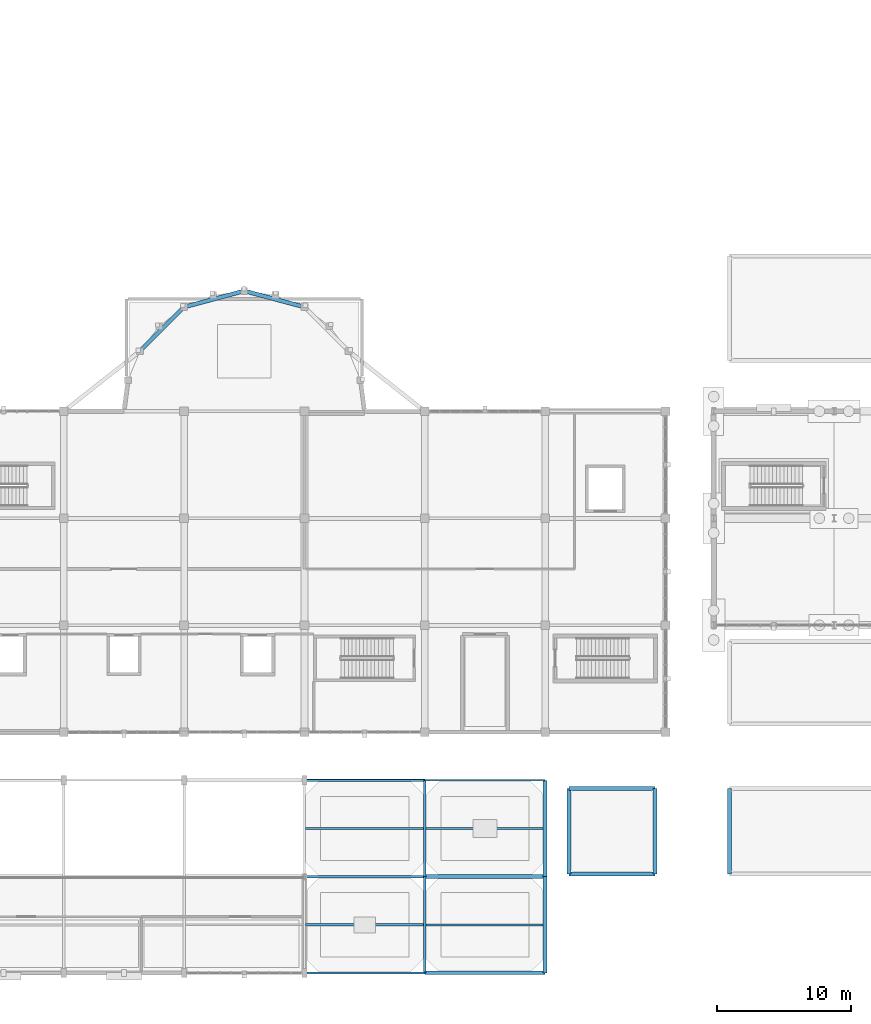
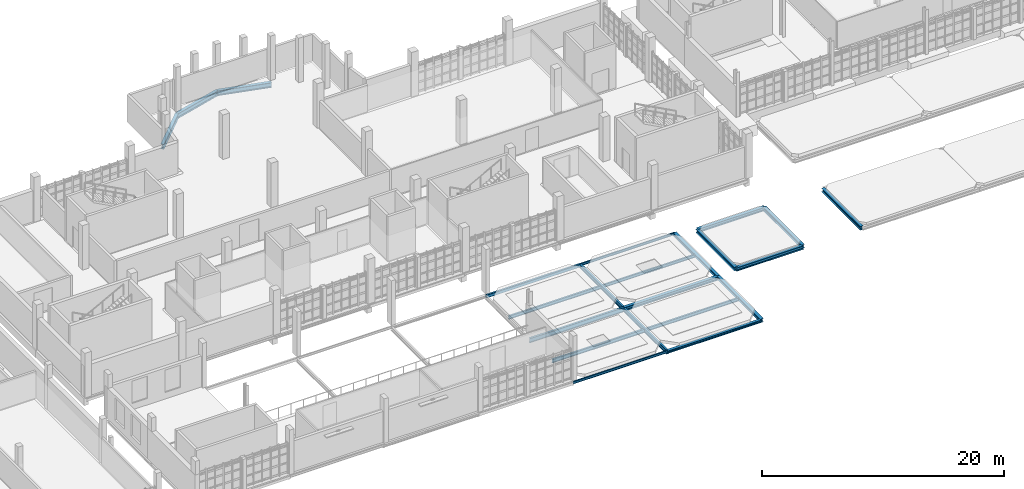
# One storey, part 25 of 125: 22 beams.
"""IFC4 building model written with IfcOpenShell, lengths in metres."""

from ifc_helpers import new_model, si_unit, direction, frame, origin, origin_2d, place, context, subcontext, project, spatial, hollow_rectangle, i_section, extrude, material, material_profile, profile_set, type_object, element, save


model = new_model("IFC4")

# Units and contexts
model_context = context("Model", 3, precision=1e-05, world=origin(), true_north=direction((0.0, 1.0)))
body_context = subcontext(model_context, "Body", "Model", "MODEL_VIEW")
ifc_project = project(units=[si_unit("LENGTHUNIT", "METRE"), si_unit("AREAUNIT", "SQUARE_METRE"), si_unit("VOLUMEUNIT", "CUBIC_METRE"), si_unit("PLANEANGLEUNIT", "RADIAN"), si_unit("MASSUNIT", "GRAM", prefix="KILO")], contexts=[model_context])

# Site, building, storey
site_placement = place(None, origin())
site = spatial("IfcSite", under=ifc_project, at=site_placement, CompositionType="ELEMENT")
building_placement = place(site_placement, origin())
building = spatial("IfcBuilding", under=site, at=building_placement, Name="Serraforn Aerial Cableway Station", CompositionType="ELEMENT")
storey_placement = place(building_placement, frame((0.0, 0.0, 4.5)))
storey = spatial("IfcBuildingStorey", under=building, at=storey_placement, Name="L01", CompositionType="ELEMENT", Elevation=4.5)

# Beams
ifc_material_1 = material(Name="Steel S355JR", Category="steel")
ifc_material_profile_1 = material_profile(ifc_material_1, i_section(OverallWidth=0.300048828125, OverallDepth=0.360107421875, WebThickness=0.010009765625, FlangeThickness=0.017578125, FilletRadius=0.027099609375, at=origin_2d()), Name="HEA 360")
ifc_profile_set_1 = profile_set([ifc_material_profile_1], Name="Steel S355JR")
beam_type_1 = type_object("IfcBeamType", Name="BM-ST-HEA360", PredefinedType="BEAM", material=ifc_profile_set_1)
for number, where, z_axis, x_axis, name in (
    (1, (83.39990234375, 7.39990234375, -0.389892578125), (1.0, 0.0, 0.0), (0.0, 1.0, 0.0), "Colonnade Spandrel Beam SWX-1-1"),
    (2, (83.39990234375, 13.800048828125, -0.389892578125), (1.0, 0.0, 0.0), (0.0, 1.0, 0.0), "Colonnade Spandrel Beam SWX-1-2"),
    (3, (83.39990234375, 7.39990234375, -0.389892578125), (0.0, 1.0, 0.0), (-1.0, 0.0, 0.0), "Colonnade Cross Beam SWY-1-1"),
    (4, (89.800048828125, 7.39990234375, -0.389892578125), (0.0, 1.0, 0.0), (-1.0, 0.0, 0.0), "Colonnade Cross Beam SWY-2-1"),
    (5, (95.39990234375, 7.39990234375, -0.47998046875), (0.0, 1.0, 0.0), (-1.0, 0.0, 0.0), "Colonnade Cross Beam SY-1-1"),
):
    element("IfcBeam", number, at=place(storey_placement, frame(where, z_axis=z_axis, x_axis=x_axis)), inside=storey, type_object=beam_type_1, Name=name, PredefinedType="BEAM", context=body_context, shape_type="SweptSolid", body=[
        extrude(i_section(OverallWidth=0.300048828125, OverallDepth=0.360107421875, WebThickness=0.010009765625, FlangeThickness=0.017578125, FilletRadius=0.027099609375, at=origin_2d()), origin(), (0.0, 0.0, 1.0), 6.400146484375),
    ])
ifc_material_2 = material(Name="Steel S355J2", Category="steel")
ifc_material_profile_2 = material_profile(ifc_material_2, i_section(OverallWidth=0.300048828125, OverallDepth=0.5, WebThickness=0.011962890625, FlangeThickness=0.02294921875, FilletRadius=0.027099609375, at=origin_2d()), Name="HEA 500")
ifc_profile_set_2 = profile_set([ifc_material_profile_2], Name="Steel S355J2")
beam_type_2 = type_object("IfcBeamType", Name="BM-ST-HEA500", PredefinedType="USERDEFINED", material=ifc_profile_set_2)
for number, where, z_axis, x_axis, name in (
    (6, (51.305908203125, 46.5, -0.56494140625), (0.707106781187, 0.707106781187, 0.0), (-0.707106781187, 0.707106781187, 0.0), "Apse Ring Girder L01-2"),
    (7, (54.60009765625, 49.794189453125, -0.56494140625), (0.965923723713, 0.258826891896, 0.0), (-0.258826891896, 0.965923723713, 0.0), "Apse Ring Girder L01-3"),
    (8, (59.10009765625, 51.0, -0.56494140625), (0.965923723713, -0.258826891896, 0.0), (0.258826891896, 0.965923723713, 0.0), "Apse Ring Girder L01-4"),
):
    element("IfcBeam", number, at=place(storey_placement, frame(where, z_axis=z_axis, x_axis=x_axis)), inside=storey, type_object=beam_type_2, Name=name, ObjectType="GIRDER", PredefinedType="USERDEFINED", context=body_context, shape_type="SweptSolid", body=[
        extrude(i_section(OverallWidth=0.300048828125, OverallDepth=0.5, WebThickness=0.011962890625, FlangeThickness=0.02294921875, FilletRadius=0.027099609375, at=origin_2d()), origin(), (0.0, 0.0, 1.0), 4.65869140625),
    ])
ifc_material_profile_3 = material_profile(ifc_material_2, i_section(OverallWidth=0.260009765625, OverallDepth=0.260009765625, WebThickness=0.010009765625, FlangeThickness=0.017578125, FilletRadius=0.02392578125, at=origin_2d()), Name="HEB 260")
ifc_profile_set_3 = profile_set([ifc_material_profile_3], Name="Steel S355J2")
beam_type_3 = type_object("IfcBeamType", Name="BM-ST-HEB260", PredefinedType="BEAM", material=ifc_profile_set_3)
beam_1_placement = place(storey_placement, frame((72.60009765625, 0.0, -0.449951171875), z_axis=(1.0, 0.0, 0.0), x_axis=(0.0, 1.0, 0.0)))
element("IfcBeam", 9, at=beam_1_placement, inside=storey, type_object=beam_type_3, Name="Grid Girder X CF L01 Y1-6", PredefinedType="BEAM", context=body_context, shape_type="SweptSolid", body=[
    extrude(i_section(OverallWidth=0.260009765625, OverallDepth=0.260009765625, WebThickness=0.010009765625, FlangeThickness=0.017578125, FilletRadius=0.02392578125, at=origin_2d()), origin(), (0.0, 0.0, 1.0), 9.0),
])
ifc_material_profile_4 = material_profile(ifc_material_2, i_section(OverallWidth=0.300048828125, OverallDepth=0.300048828125, WebThickness=0.010986328125, FlangeThickness=0.01904296875, FilletRadius=0.027099609375, at=origin_2d()), Name="HEB 300")
ifc_profile_set_4 = profile_set([ifc_material_profile_4], Name="Steel S355J2")
beam_type_4 = type_object("IfcBeamType", Name="BM-ST-HEB300", PredefinedType="BEAM", material=ifc_profile_set_4)
for number, where, z_axis, x_axis, name in (
    (10, (81.60009765625, 0.0, -0.469970703125), (0.0, 1.0, 0.0), (-1.0, 0.0, 0.0), "Grid Girder Y CF L01 X7-1"),
    (11, (81.60009765625, 7.199951171875, -0.469970703125), (0.0, 1.0, 0.0), (-1.0, 0.0, 0.0), "Grid Girder Y CF L01 X7-2"),
):
    element("IfcBeam", number, at=place(storey_placement, frame(where, z_axis=z_axis, x_axis=x_axis)), inside=storey, type_object=beam_type_4, Name=name, PredefinedType="BEAM", context=body_context, shape_type="SweptSolid", body=[
        extrude(i_section(OverallWidth=0.300048828125, OverallDepth=0.300048828125, WebThickness=0.010986328125, FlangeThickness=0.01904296875, FilletRadius=0.027099609375, at=origin_2d()), origin(), (0.0, 0.0, 1.0), 7.199951171875),
    ])
ifc_material_profile_5 = material_profile(ifc_material_2, i_section(OverallWidth=0.300048828125, OverallDepth=0.360107421875, WebThickness=0.012451171875, FlangeThickness=0.0224609375, FilletRadius=0.027099609375, at=origin_2d()), Name="HEB 360")
ifc_profile_set_5 = profile_set([ifc_material_profile_5], Name="Steel S355J2")
beam_type_5 = type_object("IfcBeamType", Name="BM-ST-HEB360", PredefinedType="USERDEFINED", material=ifc_profile_set_5)
beam_2_placement = place(storey_placement, frame((72.60009765625, 7.199951171875, -0.5), z_axis=(1.0, 0.0, 0.0), x_axis=(0.0, 1.0, 0.0)))
element("IfcBeam", 12, at=beam_2_placement, inside=storey, type_object=beam_type_5, Name="Grid Girder X CF L01 Y2-6", ObjectType="GIRDER", PredefinedType="USERDEFINED", context=body_context, shape_type="SweptSolid", body=[
    extrude(i_section(OverallWidth=0.300048828125, OverallDepth=0.360107421875, WebThickness=0.012451171875, FlangeThickness=0.0224609375, FilletRadius=0.027099609375, at=origin_2d()), origin(), (0.0, 0.0, 1.0), 9.0),
])
ifc_material_profile_6 = material_profile(ifc_material_1, i_section(OverallWidth=0.1201171875, OverallDepth=0.239990234375, WebThickness=0.006103515625, FlangeThickness=0.009765625, FilletRadius=0.014892578125, at=origin_2d()), Name="IPE 240")
ifc_profile_set_6 = profile_set([ifc_material_profile_6], Name="Steel S355JR")
beam_type_6 = type_object("IfcBeamType", Name="BM-ST-IPE240", PredefinedType="SPANDREL", material=ifc_profile_set_6)
for number, where, z_axis, x_axis, name in (
    (13, (63.60009765625, 0.0, -0.43994140625), (1.0, 0.0, 0.0), (0.0, 1.0, 0.0), "Grid Girder X CF L01 Y1-5"),
    (14, (72.60009765625, 14.39990234375, -0.43994140625), (1.0, 0.0, 0.0), (0.0, 1.0, 0.0), "Grid Girder X CF L01 Y3-6"),
):
    element("IfcBeam", number, at=place(storey_placement, frame(where, z_axis=z_axis, x_axis=x_axis)), inside=storey, type_object=beam_type_6, Name=name, PredefinedType="SPANDREL", context=body_context, shape_type="SweptSolid", body=[
        extrude(i_section(OverallWidth=0.1201171875, OverallDepth=0.239990234375, WebThickness=0.006103515625, FlangeThickness=0.009765625, FilletRadius=0.014892578125, at=origin_2d()), origin(), (0.0, 0.0, 1.0), 9.0),
    ])
ifc_material_profile_7 = material_profile(ifc_material_1, i_section(OverallWidth=0.14990234375, OverallDepth=0.300048828125, WebThickness=0.007080078125, FlangeThickness=0.0107421875, FilletRadius=0.014892578125, at=origin_2d()), Name="IPE 300")
ifc_profile_set_7 = profile_set([ifc_material_profile_7], Name="Steel S355JR")
beam_type_7 = type_object("IfcBeamType", Name="BM-ST-IPE300", PredefinedType="JOIST", material=ifc_profile_set_7)
beam_3_placement = place(storey_placement, frame((72.68994140625, 10.800048828125, -0.43505859375), z_axis=(1.0, 0.0, 0.0), x_axis=(0.0, 1.0, 0.0)))
element("IfcBeam", 15, at=beam_3_placement, inside=storey, type_object=beam_type_7, Name="Floor Joist CF-L01-6-2-1", PredefinedType="JOIST", context=body_context, shape_type="SweptSolid", body=[
    extrude(i_section(OverallWidth=0.14990234375, OverallDepth=0.300048828125, WebThickness=0.007080078125, FlangeThickness=0.0107421875, FilletRadius=0.014892578125, at=origin_2d()), origin(), (0.0, 0.0, 1.0), 8.760009765625),
])
ifc_material_profile_8 = material_profile(ifc_material_1, i_section(OverallWidth=0.159912109375, OverallDepth=0.330078125, WebThickness=0.007568359375, FlangeThickness=0.011474609375, FilletRadius=0.01806640625, at=origin_2d()), Name="IPE 330")
ifc_profile_set_8 = profile_set([ifc_material_profile_8], Name="Steel S355JR")
beam_type_8 = type_object("IfcBeamType", Name="BM-ST-IPE330", PredefinedType="JOIST", material=ifc_profile_set_8)
beam_4_placement = place(storey_placement, frame((63.68994140625, 10.800048828125, -0.449951171875), z_axis=(1.0, 0.0, 0.0), x_axis=(0.0, 1.0, 0.0)))
element("IfcBeam", 16, at=beam_4_placement, inside=storey, type_object=beam_type_8, Name="Floor Joist CF-L01-5-2-1", PredefinedType="JOIST", context=body_context, shape_type="SweptSolid", body=[
    extrude(i_section(OverallWidth=0.159912109375, OverallDepth=0.330078125, WebThickness=0.007568359375, FlangeThickness=0.011474609375, FilletRadius=0.01806640625, at=origin_2d()), origin(), (0.0, 0.0, 1.0), 8.820068359375),
])
beam_5_placement = place(storey_placement, frame((72.68994140625, 3.60009765625, -0.449951171875), z_axis=(1.0, 0.0, 0.0), x_axis=(0.0, 1.0, 0.0)))
element("IfcBeam", 17, at=beam_5_placement, inside=storey, type_object=beam_type_8, Name="Floor Joist CF-L01-6-1-1", PredefinedType="JOIST", context=body_context, shape_type="SweptSolid", body=[
    extrude(i_section(OverallWidth=0.159912109375, OverallDepth=0.330078125, WebThickness=0.007568359375, FlangeThickness=0.011474609375, FilletRadius=0.01806640625, at=origin_2d()), origin(), (0.0, 0.0, 1.0), 8.760009765625),
])
ifc_material_profile_9 = material_profile(ifc_material_1, i_section(OverallWidth=0.169921875, OverallDepth=0.360107421875, WebThickness=0.008056640625, FlangeThickness=0.0126953125, FilletRadius=0.01806640625, at=origin_2d()), Name="IPE 360")
ifc_profile_set_9 = profile_set([ifc_material_profile_9], Name="Steel S355JR")
beam_type_9 = type_object("IfcBeamType", Name="BM-ST-IPE360", PredefinedType="JOIST", material=ifc_profile_set_9)
beam_6_placement = place(storey_placement, frame((63.68994140625, 3.60009765625, -0.465087890625), z_axis=(1.0, 0.0, 0.0), x_axis=(0.0, 1.0, 0.0)))
element("IfcBeam", 18, at=beam_6_placement, inside=storey, type_object=beam_type_9, Name="Floor Joist CF-L01-5-1-1", PredefinedType="JOIST", context=body_context, shape_type="SweptSolid", body=[
    extrude(i_section(OverallWidth=0.169921875, OverallDepth=0.360107421875, WebThickness=0.008056640625, FlangeThickness=0.0126953125, FilletRadius=0.01806640625, at=origin_2d()), origin(), (0.0, 0.0, 1.0), 8.820068359375),
])
ifc_material_profile_10 = material_profile(ifc_material_1, i_section(OverallWidth=0.179931640625, OverallDepth=0.39990234375, WebThickness=0.008544921875, FlangeThickness=0.013427734375, FilletRadius=0.02099609375, at=origin_2d()), Name="IPE 400")
ifc_profile_set_10 = profile_set([ifc_material_profile_10], Name="Steel S355JR")
beam_type_10 = type_object("IfcBeamType", Name="BM-ST-IPE400", PredefinedType="BEAM", material=ifc_profile_set_10)
for number, where, z_axis, x_axis, name in (
    (19, (72.60009765625, 0.0, -0.52001953125), (0.0, 1.0, 0.0), (-1.0, 0.0, 0.0), "Grid Girder Y CF L01 X6-1"),
    (20, (72.60009765625, 7.199951171875, -0.52001953125), (0.0, 1.0, 0.0), (-1.0, 0.0, 0.0), "Grid Girder Y CF L01 X6-2"),
):
    element("IfcBeam", number, at=place(storey_placement, frame(where, z_axis=z_axis, x_axis=x_axis)), inside=storey, type_object=beam_type_10, Name=name, PredefinedType="BEAM", context=body_context, shape_type="SweptSolid", body=[
        extrude(i_section(OverallWidth=0.179931640625, OverallDepth=0.39990234375, WebThickness=0.008544921875, FlangeThickness=0.013427734375, FilletRadius=0.02099609375, at=origin_2d()), origin(), (0.0, 0.0, 1.0), 7.199951171875),
    ])
ifc_material_profile_11 = material_profile(ifc_material_1, i_section(OverallWidth=0.18994140625, OverallDepth=0.449951171875, WebThickness=0.009521484375, FlangeThickness=0.0146484375, FilletRadius=0.02099609375, at=origin_2d()), Name="IPE 450")
ifc_profile_set_11 = profile_set([ifc_material_profile_11], Name="Steel S355JR")
beam_type_11 = type_object("IfcBeamType", Name="BM-ST-IPE450", PredefinedType="BEAM", material=ifc_profile_set_11)
beam_7_placement = place(storey_placement, frame((63.60009765625, 7.199951171875, -0.544921875), z_axis=(1.0, 0.0, 0.0), x_axis=(0.0, 1.0, 0.0)))
element("IfcBeam", 21, at=beam_7_placement, inside=storey, type_object=beam_type_11, Name="Grid Girder X CF L01 Y2-5", PredefinedType="BEAM", context=body_context, shape_type="SweptSolid", body=[
    extrude(i_section(OverallWidth=0.18994140625, OverallDepth=0.449951171875, WebThickness=0.009521484375, FlangeThickness=0.0146484375, FilletRadius=0.02099609375, at=origin_2d()), origin(), (0.0, 0.0, 1.0), 9.0),
])
ifc_material_profile_12 = material_profile(ifc_material_2, hollow_rectangle(XDim=0.199951171875, YDim=0.300048828125, WallThickness=0.012451171875, InnerFilletRadius=0.012451171875, OuterFilletRadius=0.02490234375, at=origin_2d()), Name="RHS 300x200x12.5")
ifc_profile_set_12 = profile_set([ifc_material_profile_12], Name="Steel S355J2")
beam_type_12 = type_object("IfcBeamType", Name="BM-ST-RHS300", PredefinedType="SPANDREL", material=ifc_profile_set_12)
beam_8_placement = place(storey_placement, frame((63.60009765625, 14.39990234375, -0.469970703125), z_axis=(1.0, 0.0, 0.0), x_axis=(0.0, 1.0, 0.0)))
element("IfcBeam", 22, at=beam_8_placement, inside=storey, type_object=beam_type_12, Name="Grid Girder X CF L01 Y3-5", PredefinedType="SPANDREL", context=body_context, shape_type="SweptSolid", body=[
    extrude(hollow_rectangle(XDim=0.199951171875, YDim=0.300048828125, WallThickness=0.012451171875, InnerFilletRadius=0.012451171875, OuterFilletRadius=0.02490234375, at=origin_2d()), origin(), (0.0, 0.0, 1.0), 9.0),
])

save(model, "model.ifc")
